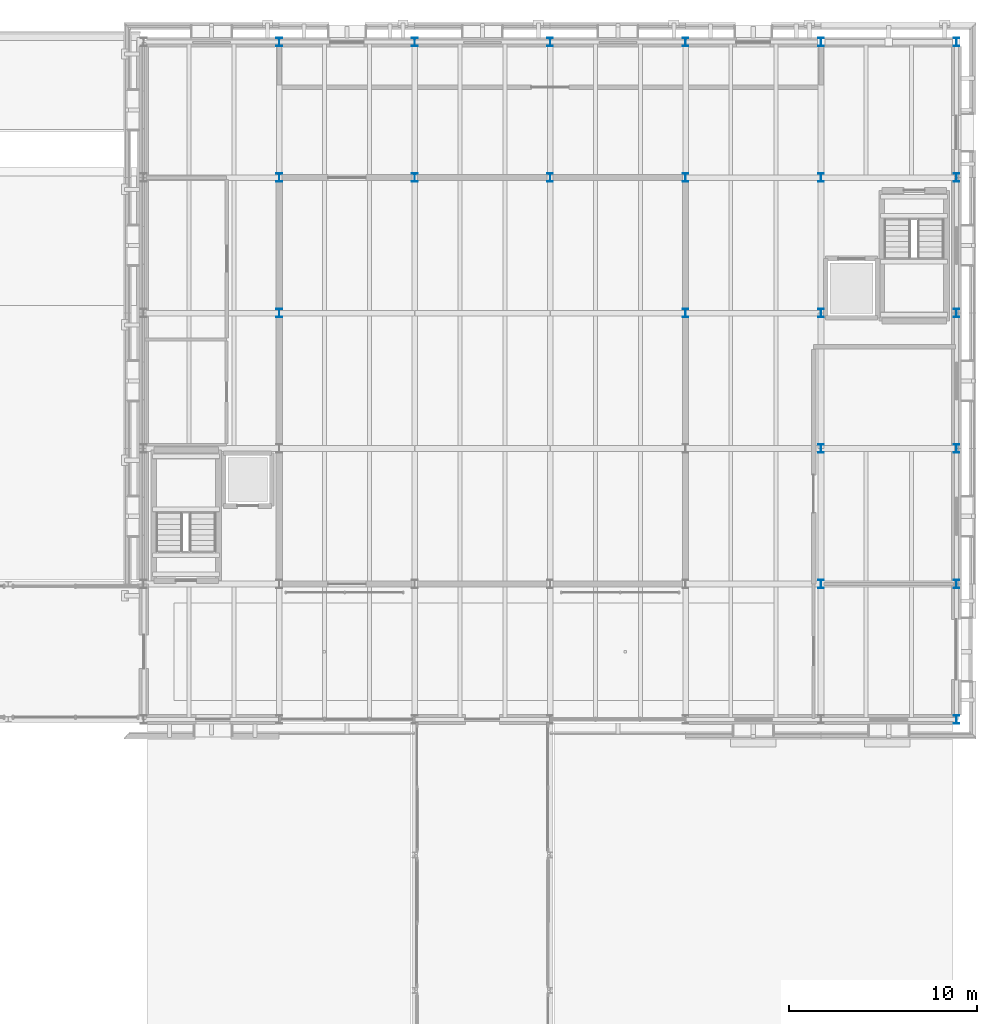
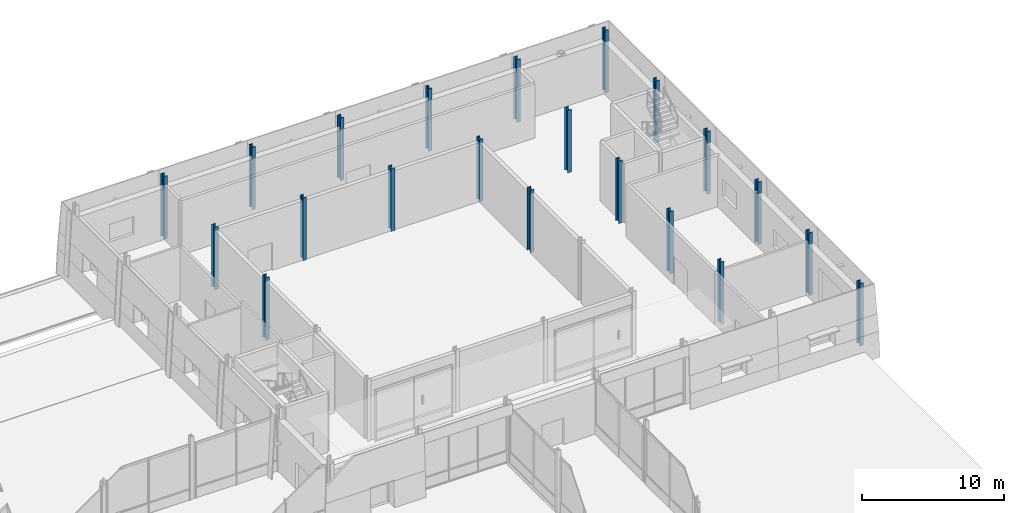
# One storey, part 20 of 120: 21 columns.
"""IFC4 building model written with IfcOpenShell, lengths in metres."""

from ifc_helpers import new_model, si_unit, direction, frame, origin, origin_2d, place, context, subcontext, project, spatial, i_section, extrude, material, material_profile, profile_set, type_object, element, save


model = new_model("IFC4")

# Units and contexts
model_context = context("Model", 3, precision=1e-05, world=origin(), true_north=direction((0.0, 1.0)))
body_context = subcontext(model_context, "Body", "Model", "MODEL_VIEW")
ifc_project = project(units=[si_unit("LENGTHUNIT", "METRE"), si_unit("AREAUNIT", "SQUARE_METRE"), si_unit("VOLUMEUNIT", "CUBIC_METRE"), si_unit("PLANEANGLEUNIT", "RADIAN"), si_unit("MASSUNIT", "GRAM", prefix="KILO")], contexts=[model_context])

# Site, building, storey
site_placement = place(None, origin())
site = spatial("IfcSite", under=ifc_project, at=site_placement, CompositionType="ELEMENT")
building_placement = place(site_placement, origin())
building = spatial("IfcBuilding", under=site, at=building_placement, Name="Narikvali Park Central Library", CompositionType="ELEMENT")
storey_placement = place(building_placement, origin())
storey = spatial("IfcBuildingStorey", under=building, at=storey_placement, Name="L00", CompositionType="ELEMENT", Elevation=0.0)

# Columns
ifc_material = material(Name="Steel S355", Category="steel")
ifc_material_profile = material_profile(ifc_material, i_section(OverallWidth=0.300048828125, OverallDepth=0.449951171875, WebThickness=0.013916015625, FlangeThickness=0.02587890625, FilletRadius=0.027099609375, at=origin_2d()), Name="HEB 450")
ifc_profile_set = profile_set([ifc_material_profile], Name="Steel S355")
column_type = type_object("IfcColumnType", Name="Steel Column HEB450", PredefinedType="COLUMN", material=ifc_profile_set)
for number, where, z_axis, x_axis, name in (
    (1, (129.60009765625, 100.800048828125, 0.0), (0.0, 0.0, 1.0), (1.0, 0.0, 0.0), "V3 L00 Column (129.6,100.8)"),
    (2, (129.60009765625, 108.0, 0.0), (0.0, 0.0, 1.0), (1.0, 0.0, 0.0), "V3 L00 Column (129.6,108.0)"),
    (3, (129.60009765625, 115.199951171875, 0.0), (0.0, 0.0, 1.0), (1.0, 0.0, 0.0), "V3 L00 Column (129.6,115.2)"),
    (4, (136.800048828125, 108.0, 0.0), (0.0, 0.0, 1.0), (1.0, 0.0, 0.0), "V3 L00 Column (136.8,108.0)"),
    (5, (136.800048828125, 115.199951171875, 0.0), (0.0, 0.0, 1.0), (1.0, 0.0, 0.0), "V3 L00 Column (136.8,115.2)"),
    (6, (144.0, 108.0, 0.0), (0.0, 0.0, 1.0), (1.0, 0.0, 0.0), "V3 L00 Column (144.0,108.0)"),
    (7, (144.0, 115.199951171875, 0.0), (0.0, 0.0, 1.0), (1.0, 0.0, 0.0), "V3 L00 Column (144.0,115.2)"),
    (8, (151.199951171875, 100.800048828125, 0.0), (0.0, 0.0, 1.0), (1.0, 0.0, 0.0), "V3 L00 Column (151.2,100.8)"),
    (9, (151.199951171875, 108.0, 0.0), (0.0, 0.0, 1.0), (1.0, 0.0, 0.0), "V3 L00 Column (151.2,108.0)"),
    (10, (151.199951171875, 115.199951171875, 0.0), (0.0, 0.0, 1.0), (1.0, 0.0, 0.0), "V3 L00 Column (151.2,115.2)"),
    (11, (158.39990234375, 86.39990234375, 0.0), (0.0, 0.0, 1.0), (1.0, 0.0, 0.0), "V3 L00 Column (158.4,86.4)"),
    (12, (158.39990234375, 93.60009765625, 0.0), (0.0, 0.0, 1.0), (1.0, 0.0, 0.0), "V3 L00 Column (158.4,93.6)"),
    (13, (158.39990234375, 100.800048828125, 0.0), (0.0, 0.0, 1.0), (1.0, 0.0, 0.0), "V3 L00 Column (158.4,100.8)"),
    (14, (158.39990234375, 108.0, 0.0), (0.0, 0.0, 1.0), (1.0, 0.0, 0.0), "V3 L00 Column (158.4,108.0)"),
    (15, (158.39990234375, 115.199951171875, 0.0), (0.0, 0.0, 1.0), (1.0, 0.0, 0.0), "V3 L00 Column (158.4,115.2)"),
    (16, (165.60009765625, 79.199951171875, 0.0), (0.0, 0.0, 1.0), (1.0, 0.0, 0.0), "V3 L00 Column (165.6,79.2)"),
    (17, (165.60009765625, 86.39990234375, 0.0), (0.0, 0.0, 1.0), (1.0, 0.0, 0.0), "V3 L00 Column (165.6,86.4)"),
    (18, (165.60009765625, 93.60009765625, 0.0), (0.0, 0.0, 1.0), (1.0, 0.0, 0.0), "V3 L00 Column (165.6,93.6)"),
    (19, (165.60009765625, 100.800048828125, 0.0), (0.0, 0.0, 1.0), (1.0, 0.0, 0.0), "V3 L00 Column (165.6,100.8)"),
    (20, (165.60009765625, 108.0, 0.0), (0.0, 0.0, 1.0), (1.0, 0.0, 0.0), "V3 L00 Column (165.6,108.0)"),
    (21, (165.60009765625, 115.199951171875, 0.0), (0.0, 0.0, 1.0), (1.0, 0.0, 0.0), "V3 L00 Column (165.6,115.2)"),
):
    element("IfcColumn", number, at=place(storey_placement, frame(where, z_axis=z_axis, x_axis=x_axis)), inside=storey, type_object=column_type, Name=name, PredefinedType="COLUMN", context=body_context, shape_type="SweptSolid", body=[
        extrude(i_section(OverallWidth=0.300048828125, OverallDepth=0.449951171875, WebThickness=0.013916015625, FlangeThickness=0.02587890625, FilletRadius=0.027099609375, at=origin_2d()), origin(), (0.0, 0.0, 1.0), 5.39990234375),
    ])

save(model, "model.ifc")
